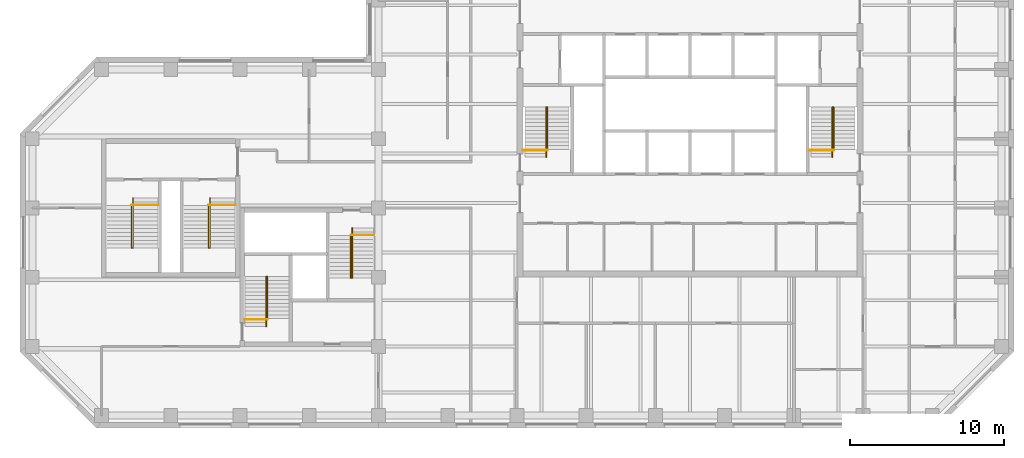
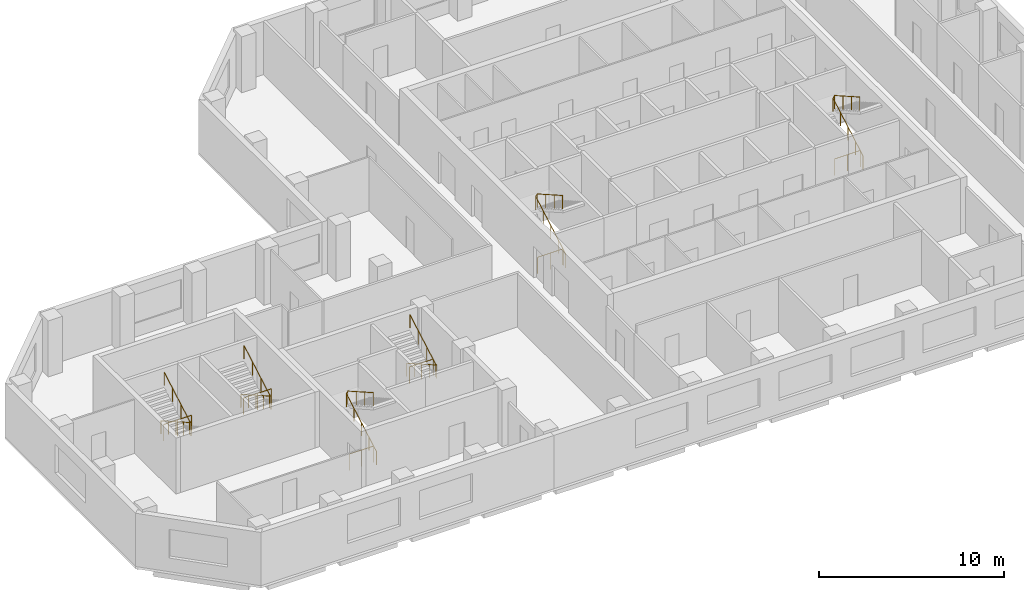
# One storey, part 9 of 9: 12 railings.
"""IFC4 building model written with IfcOpenShell, lengths in metres."""

from ifc_helpers import new_model, si_unit, direction, frame, origin, origin_2d, place, context, subcontext, project, spatial, circle, extrude, material, type_object, element, save


model = new_model("IFC4")

# Units and contexts
model_context = context("Model", 3, precision=1e-05, world=origin(), true_north=direction((0.0, 1.0)))
body_context = subcontext(model_context, "Body", "Model", "MODEL_VIEW")
ifc_project = project(units=[si_unit("LENGTHUNIT", "METRE"), si_unit("AREAUNIT", "SQUARE_METRE"), si_unit("VOLUMEUNIT", "CUBIC_METRE"), si_unit("PLANEANGLEUNIT", "RADIAN"), si_unit("MASSUNIT", "GRAM", prefix="KILO")], contexts=[model_context])

# Site, building, storey
site_placement = place(None, origin())
site = spatial("IfcSite", under=ifc_project, at=site_placement, CompositionType="ELEMENT")
building_placement = place(site_placement, origin())
building = spatial("IfcBuilding", under=site, at=building_placement, Name="Quoin Convention Tower", CompositionType="ELEMENT")
storey_placement = place(building_placement, frame((0.0, 0.0, 181.0)))
storey = spatial("IfcBuildingStorey", under=building, at=storey_placement, Name="L47", CompositionType="ELEMENT", Elevation=181.0)

# Railings
ifc_material = material(Name="Stainless steel", Category="steel")
railing_type_1 = type_object("IfcRailingType", Name="Stair handrail 900", PredefinedType="HANDRAIL", material=ifc_material)
railing_1_placement = place(storey_placement, frame((46.905029296875, 57.300048828125, 0.142333984375)))
element("IfcRailing", 1, at=railing_1_placement, inside=storey, type_object=railing_type_1, Name="SD1 handrail 1", PredefinedType="HANDRAIL", context=body_context, shape_type="SweptSolid", body=[
    extrude(circle(Radius=0.02392578125, at=origin_2d()), frame((0.0, 0.0, 0.8759765625), z_axis=(0.0, 0.869081571614, 0.494668800189), x_axis=(-1.0, 0.0, 0.0)), (0.0, 0.0, 1.0), 3.739501953125),
    extrude(circle(Radius=0.02392578125, at=origin_2d()), frame((0.0, 3.25, 2.7255859375), z_axis=(0.53481069233, 0.0, 0.844971906852), x_axis=(0.0, 1.0, 0.0)), (0.0, 0.0, 1.0), 0.16845703125),
    extrude(circle(Radius=0.02392578125, at=origin_2d()), frame((0.090087890625, 3.25, 2.8681640625), z_axis=(0.0, -0.869058607571, 0.494709143443), x_axis=(1.0, 0.0, 0.0)), (0.0, 0.0, 1.0), 3.164306640625),
    extrude(circle(Radius=0.02099609375, at=origin_2d()), origin(), (0.0, 0.0, 1.0), 0.851806640625),
    extrude(circle(Radius=0.02099609375, at=origin_2d()), frame((0.0, 0.8125, 0.46240234375)), (0.0, 0.0, 1.0), 0.851806640625),
    extrude(circle(Radius=0.02099609375, at=origin_2d()), frame((0.0, 1.625, 0.9248046875)), (0.0, 0.0, 1.0), 0.851806640625),
    extrude(circle(Radius=0.02099609375, at=origin_2d()), frame((0.0, 2.4375, 1.387451171875)), (0.0, 0.0, 1.0), 0.851806640625),
    extrude(circle(Radius=0.02099609375, at=origin_2d()), frame((0.0, 3.25, 1.849853515625)), (0.0, 0.0, 1.0), 0.851806640625),
    extrude(circle(Radius=0.02099609375, at=origin_2d()), frame((0.090087890625, 3.25, 1.9921875)), (0.0, 0.0, 1.0), 0.851806640625),
    extrude(circle(Radius=0.02099609375, at=origin_2d()), frame((0.090087890625, 2.333251953125, 2.513916015625)), (0.0, 0.0, 1.0), 0.851806640625),
    extrude(circle(Radius=0.02099609375, at=origin_2d()), frame((0.090087890625, 1.416748046875, 3.035888671875)), (0.0, 0.0, 1.0), 0.851806640625),
    extrude(circle(Radius=0.02099609375, at=origin_2d()), frame((0.090087890625, 0.5, 3.5576171875)), (0.0, 0.0, 1.0), 0.851806640625),
])
railing_2_placement = place(storey_placement, frame((65.5048828125, 57.300048828125, 0.142333984375)))
element("IfcRailing", 2, at=railing_2_placement, inside=storey, type_object=railing_type_1, Name="SD2 handrail 1", PredefinedType="HANDRAIL", context=body_context, shape_type="SweptSolid", body=[
    extrude(circle(Radius=0.02392578125, at=origin_2d()), frame((0.0, 0.0, 0.8759765625), z_axis=(0.0, 0.869081571614, 0.494668800189), x_axis=(-1.0, 0.0, 0.0)), (0.0, 0.0, 1.0), 3.739501953125),
    extrude(circle(Radius=0.02392578125, at=origin_2d()), frame((0.0, 3.25, 2.7255859375), z_axis=(0.53481069233, 0.0, 0.844971906852), x_axis=(0.0, 1.0, 0.0)), (0.0, 0.0, 1.0), 0.16845703125),
    extrude(circle(Radius=0.02392578125, at=origin_2d()), frame((0.090087890625, 3.25, 2.8681640625), z_axis=(0.0, -0.869058607571, 0.494709143443), x_axis=(1.0, 0.0, 0.0)), (0.0, 0.0, 1.0), 3.164306640625),
    extrude(circle(Radius=0.02099609375, at=origin_2d()), origin(), (0.0, 0.0, 1.0), 0.851806640625),
    extrude(circle(Radius=0.02099609375, at=origin_2d()), frame((0.0, 0.8125, 0.46240234375)), (0.0, 0.0, 1.0), 0.851806640625),
    extrude(circle(Radius=0.02099609375, at=origin_2d()), frame((0.0, 1.625, 0.9248046875)), (0.0, 0.0, 1.0), 0.851806640625),
    extrude(circle(Radius=0.02099609375, at=origin_2d()), frame((0.0, 2.4375, 1.387451171875)), (0.0, 0.0, 1.0), 0.851806640625),
    extrude(circle(Radius=0.02099609375, at=origin_2d()), frame((0.0, 3.25, 1.849853515625)), (0.0, 0.0, 1.0), 0.851806640625),
    extrude(circle(Radius=0.02099609375, at=origin_2d()), frame((0.090087890625, 3.25, 1.9921875)), (0.0, 0.0, 1.0), 0.851806640625),
    extrude(circle(Radius=0.02099609375, at=origin_2d()), frame((0.090087890625, 2.333251953125, 2.513916015625)), (0.0, 0.0, 1.0), 0.851806640625),
    extrude(circle(Radius=0.02099609375, at=origin_2d()), frame((0.090087890625, 1.416748046875, 3.035888671875)), (0.0, 0.0, 1.0), 0.851806640625),
    extrude(circle(Radius=0.02099609375, at=origin_2d()), frame((0.090087890625, 0.5, 3.5576171875)), (0.0, 0.0, 1.0), 0.851806640625),
])
railing_3_placement = place(storey_placement, frame((28.705078125, 46.300048828125, 0.142333984375)))
element("IfcRailing", 3, at=railing_3_placement, inside=storey, type_object=railing_type_1, Name="SD3 handrail 1", PredefinedType="HANDRAIL", context=body_context, shape_type="SweptSolid", body=[
    extrude(circle(Radius=0.02392578125, at=origin_2d()), frame((0.0, 0.0, 0.8759765625), z_axis=(0.0, 0.869081571614, 0.494668800189), x_axis=(-1.0, 0.0, 0.0)), (0.0, 0.0, 1.0), 3.739501953125),
    extrude(circle(Radius=0.02392578125, at=origin_2d()), frame((0.0, 3.25, 2.7255859375), z_axis=(0.533774684331, 0.0, 0.845626741753), x_axis=(0.0, 1.0, 0.0)), (0.0, 0.0, 1.0), 0.168212890625),
    extrude(circle(Radius=0.02392578125, at=origin_2d()), frame((0.08984375, 3.25, 2.8681640625), z_axis=(0.0, -0.869058607571, 0.494709143443), x_axis=(1.0, 0.0, 0.0)), (0.0, 0.0, 1.0), 3.164306640625),
    extrude(circle(Radius=0.02099609375, at=origin_2d()), origin(), (0.0, 0.0, 1.0), 0.851806640625),
    extrude(circle(Radius=0.02099609375, at=origin_2d()), frame((0.0, 0.8125, 0.46240234375)), (0.0, 0.0, 1.0), 0.851806640625),
    extrude(circle(Radius=0.02099609375, at=origin_2d()), frame((0.0, 1.625, 0.9248046875)), (0.0, 0.0, 1.0), 0.851806640625),
    extrude(circle(Radius=0.02099609375, at=origin_2d()), frame((0.0, 2.4375, 1.387451171875)), (0.0, 0.0, 1.0), 0.851806640625),
    extrude(circle(Radius=0.02099609375, at=origin_2d()), frame((0.0, 3.25, 1.849853515625)), (0.0, 0.0, 1.0), 0.851806640625),
    extrude(circle(Radius=0.02099609375, at=origin_2d()), frame((0.08984375, 3.25, 1.9921875)), (0.0, 0.0, 1.0), 0.851806640625),
    extrude(circle(Radius=0.02099609375, at=origin_2d()), frame((0.08984375, 2.333251953125, 2.513916015625)), (0.0, 0.0, 1.0), 0.851806640625),
    extrude(circle(Radius=0.02099609375, at=origin_2d()), frame((0.08984375, 1.416748046875, 3.035888671875)), (0.0, 0.0, 1.0), 0.851806640625),
    extrude(circle(Radius=0.02099609375, at=origin_2d()), frame((0.08984375, 0.5, 3.5576171875)), (0.0, 0.0, 1.0), 0.851806640625),
])
railing_4_placement = place(storey_placement, frame((34.294921875, 52.699951171875, 0.142333984375)))
element("IfcRailing", 4, at=railing_4_placement, inside=storey, type_object=railing_type_1, Name="SD4 handrail 1", PredefinedType="HANDRAIL", context=body_context, shape_type="SweptSolid", body=[
    extrude(circle(Radius=0.02392578125, at=origin_2d()), frame((0.0, 0.0, 0.8759765625), z_axis=(0.0, -0.869081571614, 0.494668800189), x_axis=(1.0, 0.0, 0.0)), (0.0, 0.0, 1.0), 3.739501953125),
    extrude(circle(Radius=0.02392578125, at=origin_2d()), frame((0.0, -3.25, 2.7255859375), z_axis=(-0.533774684331, 0.0, 0.845626741753), x_axis=(0.0, -1.0, 0.0)), (0.0, 0.0, 1.0), 0.168212890625),
    extrude(circle(Radius=0.02392578125, at=origin_2d()), frame((-0.08984375, -3.25, 2.8681640625), z_axis=(0.0, 0.869058607571, 0.494709143443), x_axis=(-1.0, 0.0, 0.0)), (0.0, 0.0, 1.0), 3.164306640625),
    extrude(circle(Radius=0.02099609375, at=origin_2d()), origin(), (0.0, 0.0, 1.0), 0.851806640625),
    extrude(circle(Radius=0.02099609375, at=origin_2d()), frame((0.0, -0.8125, 0.46240234375)), (0.0, 0.0, 1.0), 0.851806640625),
    extrude(circle(Radius=0.02099609375, at=origin_2d()), frame((0.0, -1.625, 0.9248046875)), (0.0, 0.0, 1.0), 0.851806640625),
    extrude(circle(Radius=0.02099609375, at=origin_2d()), frame((0.0, -2.4375, 1.387451171875)), (0.0, 0.0, 1.0), 0.851806640625),
    extrude(circle(Radius=0.02099609375, at=origin_2d()), frame((0.0, -3.25, 1.849853515625)), (0.0, 0.0, 1.0), 0.851806640625),
    extrude(circle(Radius=0.02099609375, at=origin_2d()), frame((-0.08984375, -3.25, 1.9921875)), (0.0, 0.0, 1.0), 0.851806640625),
    extrude(circle(Radius=0.02099609375, at=origin_2d()), frame((-0.08984375, -2.333251953125, 2.513916015625)), (0.0, 0.0, 1.0), 0.851806640625),
    extrude(circle(Radius=0.02099609375, at=origin_2d()), frame((-0.08984375, -1.416748046875, 3.035888671875)), (0.0, 0.0, 1.0), 0.851806640625),
    extrude(circle(Radius=0.02099609375, at=origin_2d()), frame((-0.08984375, -0.5, 3.5576171875)), (0.0, 0.0, 1.0), 0.851806640625),
])
railing_5_placement = place(storey_placement, frame((20.044921875, 54.64990234375, 0.142333984375)))
element("IfcRailing", 5, at=railing_5_placement, inside=storey, type_object=railing_type_1, Name="SD11 handrail 1", PredefinedType="HANDRAIL", context=body_context, shape_type="SweptSolid", body=[
    extrude(circle(Radius=0.02392578125, at=origin_2d()), frame((0.0, 0.0, 0.8759765625), z_axis=(0.0, -0.869081571614, 0.494668800189), x_axis=(1.0, 0.0, 0.0)), (0.0, 0.0, 1.0), 3.739501953125),
    extrude(circle(Radius=0.02392578125, at=origin_2d()), frame((0.0, -3.25, 2.7255859375), z_axis=(-0.533774684331, 0.0, 0.845626741753), x_axis=(0.0, -1.0, 0.0)), (0.0, 0.0, 1.0), 0.168212890625),
    extrude(circle(Radius=0.02392578125, at=origin_2d()), frame((-0.08984375, -3.25, 2.8681640625), z_axis=(0.0, 0.869058607571, 0.494709143443), x_axis=(-1.0, 0.0, 0.0)), (0.0, 0.0, 1.0), 3.164306640625),
    extrude(circle(Radius=0.02099609375, at=origin_2d()), origin(), (0.0, 0.0, 1.0), 0.851806640625),
    extrude(circle(Radius=0.02099609375, at=origin_2d()), frame((0.0, -0.8125, 0.46240234375)), (0.0, 0.0, 1.0), 0.851806640625),
    extrude(circle(Radius=0.02099609375, at=origin_2d()), frame((0.0, -1.625, 0.9248046875)), (0.0, 0.0, 1.0), 0.851806640625),
    extrude(circle(Radius=0.02099609375, at=origin_2d()), frame((0.0, -2.4375, 1.387451171875)), (0.0, 0.0, 1.0), 0.851806640625),
    extrude(circle(Radius=0.02099609375, at=origin_2d()), frame((0.0, -3.25, 1.849853515625)), (0.0, 0.0, 1.0), 0.851806640625),
    extrude(circle(Radius=0.02099609375, at=origin_2d()), frame((-0.08984375, -3.25, 1.9921875)), (0.0, 0.0, 1.0), 0.851806640625),
    extrude(circle(Radius=0.02099609375, at=origin_2d()), frame((-0.08984375, -2.333251953125, 2.513916015625)), (0.0, 0.0, 1.0), 0.851806640625),
    extrude(circle(Radius=0.02099609375, at=origin_2d()), frame((-0.08984375, -1.416748046875, 3.035888671875)), (0.0, 0.0, 1.0), 0.851806640625),
    extrude(circle(Radius=0.02099609375, at=origin_2d()), frame((-0.08984375, -0.5, 3.5576171875)), (0.0, 0.0, 1.0), 0.851806640625),
])
railing_6_placement = place(storey_placement, frame((25.044921875, 54.64990234375, 0.142333984375)))
element("IfcRailing", 6, at=railing_6_placement, inside=storey, type_object=railing_type_1, Name="SD12 handrail 1", PredefinedType="HANDRAIL", context=body_context, shape_type="SweptSolid", body=[
    extrude(circle(Radius=0.02392578125, at=origin_2d()), frame((0.0, 0.0, 0.8759765625), z_axis=(0.0, -0.869081571614, 0.494668800189), x_axis=(1.0, 0.0, 0.0)), (0.0, 0.0, 1.0), 3.739501953125),
    extrude(circle(Radius=0.02392578125, at=origin_2d()), frame((0.0, -3.25, 2.7255859375), z_axis=(-0.533774684331, 0.0, 0.845626741753), x_axis=(0.0, -1.0, 0.0)), (0.0, 0.0, 1.0), 0.168212890625),
    extrude(circle(Radius=0.02392578125, at=origin_2d()), frame((-0.08984375, -3.25, 2.8681640625), z_axis=(0.0, 0.869058607571, 0.494709143443), x_axis=(-1.0, 0.0, 0.0)), (0.0, 0.0, 1.0), 3.164306640625),
    extrude(circle(Radius=0.02099609375, at=origin_2d()), origin(), (0.0, 0.0, 1.0), 0.851806640625),
    extrude(circle(Radius=0.02099609375, at=origin_2d()), frame((0.0, -0.8125, 0.46240234375)), (0.0, 0.0, 1.0), 0.851806640625),
    extrude(circle(Radius=0.02099609375, at=origin_2d()), frame((0.0, -1.625, 0.9248046875)), (0.0, 0.0, 1.0), 0.851806640625),
    extrude(circle(Radius=0.02099609375, at=origin_2d()), frame((0.0, -2.4375, 1.387451171875)), (0.0, 0.0, 1.0), 0.851806640625),
    extrude(circle(Radius=0.02099609375, at=origin_2d()), frame((0.0, -3.25, 1.849853515625)), (0.0, 0.0, 1.0), 0.851806640625),
    extrude(circle(Radius=0.02099609375, at=origin_2d()), frame((-0.08984375, -3.25, 1.9921875)), (0.0, 0.0, 1.0), 0.851806640625),
    extrude(circle(Radius=0.02099609375, at=origin_2d()), frame((-0.08984375, -2.333251953125, 2.513916015625)), (0.0, 0.0, 1.0), 0.851806640625),
    extrude(circle(Radius=0.02099609375, at=origin_2d()), frame((-0.08984375, -1.416748046875, 3.035888671875)), (0.0, 0.0, 1.0), 0.851806640625),
    extrude(circle(Radius=0.02099609375, at=origin_2d()), frame((-0.08984375, -0.5, 3.5576171875)), (0.0, 0.0, 1.0), 0.851806640625),
])
railing_type_2 = type_object("IfcRailingType", Name="Stair top guard 1100", PredefinedType="GUARDRAIL", material=ifc_material)
railing_7_placement = place(storey_placement, frame((45.39990234375, 57.75, 0.0)))
element("IfcRailing", 7, at=railing_7_placement, inside=storey, type_object=railing_type_2, Name="SD1 top guard", PredefinedType="GUARDRAIL", context=body_context, shape_type="SweptSolid", body=[
    extrude(circle(Radius=0.02392578125, at=origin_2d()), frame((0.0, 0.0, 1.076171875), z_axis=(1.0, 0.0, 0.0), x_axis=(0.0, 1.0, 0.0)), (0.0, 0.0, 1.0), 1.59521484375),
    extrude(circle(Radius=0.02099609375, at=origin_2d()), origin(), (0.0, 0.0, 1.0), 1.052001953125),
    extrude(circle(Radius=0.02099609375, at=origin_2d()), frame((0.797607421875, 0.0, 0.0)), (0.0, 0.0, 1.0), 1.052001953125),
    extrude(circle(Radius=0.02099609375, at=origin_2d()), frame((1.59521484375, 0.0, 0.0)), (0.0, 0.0, 1.0), 1.052001953125),
])
railing_8_placement = place(storey_placement, frame((64.0, 57.75, 0.0)))
element("IfcRailing", 8, at=railing_8_placement, inside=storey, type_object=railing_type_2, Name="SD2 top guard", PredefinedType="GUARDRAIL", context=body_context, shape_type="SweptSolid", body=[
    extrude(circle(Radius=0.02392578125, at=origin_2d()), frame((0.0, 0.0, 1.076171875), z_axis=(1.0, 0.0, 0.0), x_axis=(0.0, 1.0, 0.0)), (0.0, 0.0, 1.0), 1.594970703125),
    extrude(circle(Radius=0.02099609375, at=origin_2d()), origin(), (0.0, 0.0, 1.0), 1.052001953125),
    extrude(circle(Radius=0.02099609375, at=origin_2d()), frame((0.79736328125, 0.0, 0.0)), (0.0, 0.0, 1.0), 1.052001953125),
    extrude(circle(Radius=0.02099609375, at=origin_2d()), frame((1.594970703125, 0.0, 0.0)), (0.0, 0.0, 1.0), 1.052001953125),
])
railing_9_placement = place(storey_placement, frame((27.300048828125, 46.75, 0.0)))
element("IfcRailing", 9, at=railing_9_placement, inside=storey, type_object=railing_type_2, Name="SD3 top guard", PredefinedType="GUARDRAIL", context=body_context, shape_type="SweptSolid", body=[
    extrude(circle(Radius=0.02392578125, at=origin_2d()), frame((0.0, 0.0, 1.076171875), z_axis=(1.0, 0.0, 0.0), x_axis=(0.0, 1.0, 0.0)), (0.0, 0.0, 1.0), 1.494873046875),
    extrude(circle(Radius=0.02099609375, at=origin_2d()), origin(), (0.0, 0.0, 1.0), 1.052001953125),
    extrude(circle(Radius=0.02099609375, at=origin_2d()), frame((0.74755859375, 0.0, 0.0)), (0.0, 0.0, 1.0), 1.052001953125),
    extrude(circle(Radius=0.02099609375, at=origin_2d()), frame((1.494873046875, 0.0, 0.0)), (0.0, 0.0, 1.0), 1.052001953125),
])
railing_10_placement = place(storey_placement, frame((35.699951171875, 52.25, 0.0)))
element("IfcRailing", 10, at=railing_10_placement, inside=storey, type_object=railing_type_2, Name="SD4 top guard", PredefinedType="GUARDRAIL", context=body_context, shape_type="SweptSolid", body=[
    extrude(circle(Radius=0.02392578125, at=origin_2d()), frame((0.0, 0.0, 1.076171875), z_axis=(-1.0, 0.0, 0.0), x_axis=(0.0, -1.0, 0.0)), (0.0, 0.0, 1.0), 1.494873046875),
    extrude(circle(Radius=0.02099609375, at=origin_2d()), origin(), (0.0, 0.0, 1.0), 1.052001953125),
    extrude(circle(Radius=0.02099609375, at=origin_2d()), frame((-0.74755859375, 0.0, 0.0)), (0.0, 0.0, 1.0), 1.052001953125),
    extrude(circle(Radius=0.02099609375, at=origin_2d()), frame((-1.494873046875, 0.0, 0.0)), (0.0, 0.0, 1.0), 1.052001953125),
])
for number, where, name in (
    (11, (21.699951171875, 54.199951171875, 0.0), "SD11 top guard"),
    (12, (26.699951171875, 54.199951171875, 0.0), "SD12 top guard"),
):
    element("IfcRailing", number, at=place(storey_placement, frame(where)), inside=storey, type_object=railing_type_2, Name=name, PredefinedType="GUARDRAIL", context=body_context, shape_type="SweptSolid", body=[
        extrude(circle(Radius=0.02392578125, at=origin_2d()), frame((0.0, 0.0, 1.076171875), z_axis=(-1.0, 0.0, 0.0), x_axis=(0.0, -1.0, 0.0)), (0.0, 0.0, 1.0), 1.744873046875),
        extrude(circle(Radius=0.02099609375, at=origin_2d()), origin(), (0.0, 0.0, 1.0), 1.052001953125),
        extrude(circle(Radius=0.02099609375, at=origin_2d()), frame((-0.87255859375, 0.0, 0.0)), (0.0, 0.0, 1.0), 1.052001953125),
        extrude(circle(Radius=0.02099609375, at=origin_2d()), frame((-1.744873046875, 0.0, 0.0)), (0.0, 0.0, 1.0), 1.052001953125),
    ])

save(model, "model.ifc")
